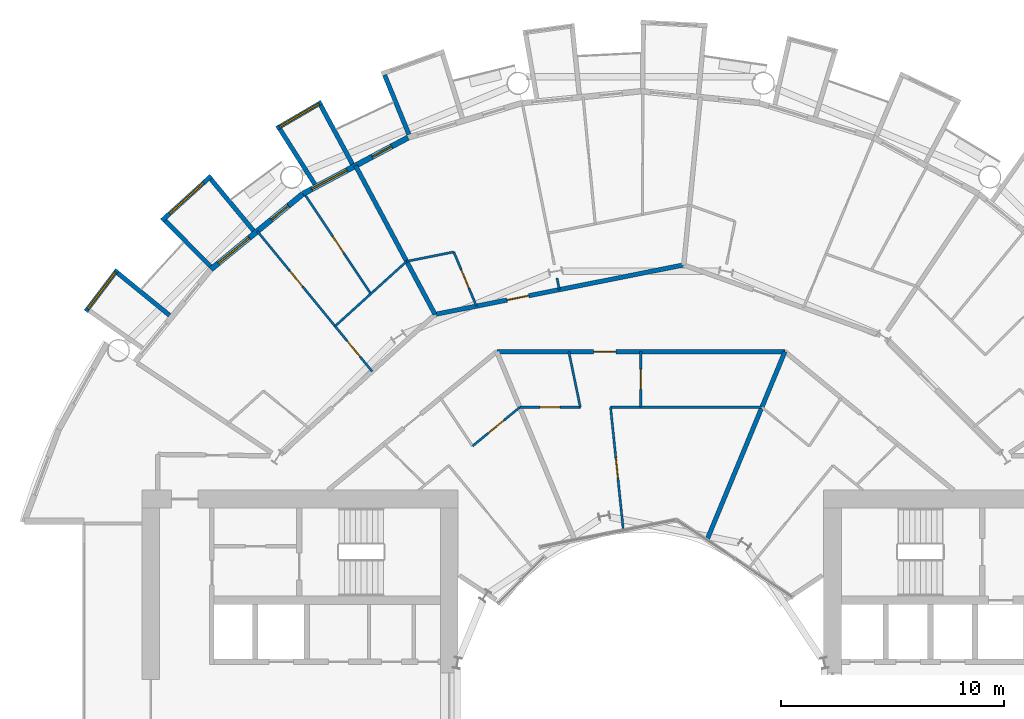
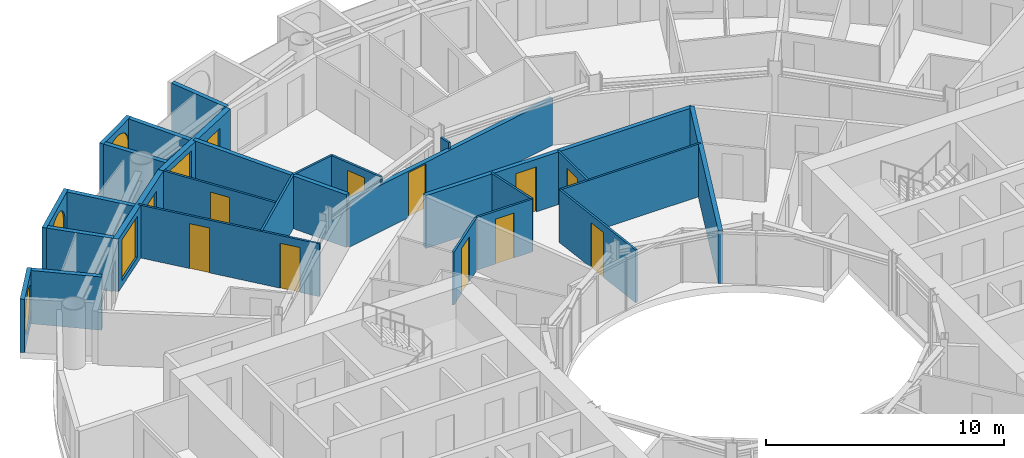
# One storey, part 19 of 26: 27 walls, 12 doors, 5 windows, 17 openings.
"""IFC4 building model written with IfcOpenShell, lengths in metres."""

from ifc_helpers import new_model, si_unit, direction, frame, frame_2d, origin, place, context, subcontext, project, spatial, rectangle, circle, extrude, material, layer, layer_set, type_object, element, fill, save


model = new_model("IFC4")

# Units and contexts
model_context = context("Model", 3, precision=1e-05, world=origin(), true_north=direction((0.0, 1.0)))
body_context = subcontext(model_context, "Body", "Model", "MODEL_VIEW")
ifc_project = project(units=[si_unit("LENGTHUNIT", "METRE"), si_unit("AREAUNIT", "SQUARE_METRE"), si_unit("VOLUMEUNIT", "CUBIC_METRE"), si_unit("PLANEANGLEUNIT", "RADIAN"), si_unit("MASSUNIT", "GRAM", prefix="KILO")], contexts=[model_context])

# Site, building, storey
site_placement = place(None, origin())
site = spatial("IfcSite", under=ifc_project, at=site_placement, CompositionType="ELEMENT")
building_placement = place(site_placement, origin())
building = spatial("IfcBuilding", under=site, at=building_placement, Name="Maasbend Ring Residences", CompositionType="ELEMENT")
storey_placement = place(building_placement, frame((0.0, 0.0, 38.050048828125)))
storey = spatial("IfcBuildingStorey", under=building, at=storey_placement, Name="L10", CompositionType="ELEMENT", Elevation=38.050048828125)

# Wall, opening, door
ifc_material_1 = material(Name="Concrete C30/37", Category="concrete")
ifc_layer_1 = layer(ifc_material_1, 0.199951171875)
ifc_layer_set_1 = layer_set([ifc_layer_1], Name="Concrete C30/37")
wall_type_1 = type_object("IfcWallType", Name="CORRIDOR WALL 200 CONCRETE", PredefinedType="PARTITIONING", material=ifc_layer_set_1)
wall_1_placement = place(storey_placement, frame((-6.467041015625, 15.614013671875, 0.0), z_axis=(0.0, 0.0, 1.0), x_axis=(1.0, 0.0, 0.0)))
wall_1 = element("IfcWall", 1, at=wall_1_placement, inside=storey, type_object=wall_type_1, Name="U-L10-w102", PredefinedType="PARTITIONING", context=body_context, shape_type="SweptSolid", body=[
    extrude(rectangle(XDim=12.93408203125, YDim=0.199951171875, at=frame_2d((6.467041015625, 0.0))), origin(), (0.0, 0.0, 1.0), 2.699951171875),
])
opening_1_placement = place(wall_1_placement, frame((4.35009765625, 0.0, 0.0)))
opening_1 = element("IfcOpeningElement", 2, at=opening_1_placement, cuts=wall_1, Name="Opening D-1025", PredefinedType="OPENING", context=body_context, shape_type="SweptSolid", body=[
    extrude(rectangle(XDim=1.0, YDim=2.300048828125, at=frame_2d((0.5, 1.14990234375))), frame((0.0, 0.10986328125, 0.0), z_axis=(0.0, -1.0, 0.0), x_axis=(1.0, 0.0, 0.0)), (0.0, 0.0, 1.0), 0.219970703125),
])
ifc_material_2 = material(Name="Timber, fire-rated, painted", Category="wood")
door_type_1 = type_object("IfcDoorType", Name="FLAT ENTRANCE DOOR 1000 X 2300 FIRE-RATED", OperationType="NOTDEFINED", PredefinedType="DOOR", material=ifc_material_2)
door_1_placement = place(opening_1_placement, origin())
door_1 = element("IfcDoor", 3, at=door_1_placement, inside=storey, type_object=door_type_1, Name="D-1025", OperationType="SINGLE_SWING_LEFT", OverallHeight=2.300048828125, OverallWidth=1.0, PredefinedType="DOOR", context=body_context, shape_type="SweptSolid", body=[
    extrude(rectangle(XDim=1.0, YDim=2.300048828125, at=frame_2d((0.5, 1.14990234375))), frame((0.0, 0.02490234375, 0.0), z_axis=(0.0, -1.0, 0.0), x_axis=(1.0, 0.0, 0.0)), (0.0, 0.0, 1.0), 0.050048828125),
])
fill(opening_1, door_1)

wall_2_placement = place(storey_placement, frame((-9.239013671875, 17.285888671875, 0.0), z_axis=(0.0, 0.0, 1.0), x_axis=(0.98077905287, 0.195121627328, 0.0)))
wall_2 = element("IfcWall", 4, at=wall_2_placement, inside=storey, type_object=wall_type_1, Name="U-L10-w105", PredefinedType="PARTITIONING", context=body_context, shape_type="SweptSolid", body=[
    extrude(rectangle(XDim=11.378662109375, YDim=0.199951171875, at=frame_2d((5.689453125, 0.0))), origin(), (0.0, 0.0, 1.0), 2.3798828125),
])
opening_2_placement = place(wall_2_placement, frame((3.29296875, 0.0, 0.0)))
opening_2 = element("IfcOpeningElement", 5, at=opening_2_placement, cuts=wall_2, Name="Opening D-1010", PredefinedType="OPENING", context=body_context, shape_type="SweptSolid", body=[
    extrude(rectangle(XDim=1.0, YDim=2.300048828125, at=frame_2d((0.5, 1.14990234375))), frame((0.0, 0.10986328125, 0.0), z_axis=(0.0, -1.0, 0.0), x_axis=(1.0, 0.0, 0.0)), (0.0, 0.0, 1.0), 0.219970703125),
])
door_2_placement = place(opening_2_placement, origin())
door_2 = element("IfcDoor", 6, at=door_2_placement, inside=storey, type_object=door_type_1, Name="D-1010", OperationType="SINGLE_SWING_LEFT", OverallHeight=2.300048828125, OverallWidth=1.0, PredefinedType="DOOR", context=body_context, shape_type="SweptSolid", body=[
    extrude(rectangle(XDim=1.0, YDim=2.300048828125, at=frame_2d((0.5, 1.14990234375))), frame((0.0, 0.02490234375, 0.0), z_axis=(0.0, -1.0, 0.0), x_axis=(1.0, 0.0, 0.0)), (0.0, 0.0, 1.0), 0.050048828125),
])
fill(opening_2, door_2)

# Wall
ifc_material_3 = material(Name="Pale anodised aluminium panel", Category="aluminium")
ifc_layer_2 = layer(ifc_material_3, 0.199951171875)
ifc_layer_set_2 = layer_set([ifc_layer_2], Name="EW-BOX")
wall_type_2 = type_object("IfcWallType", Name="EW-BOX", PredefinedType="SOLIDWALL", material=ifc_layer_set_2)
wall_3_placement = place(storey_placement, frame((-10.408935546875, 25.364013671875, -0.030029296875), z_axis=(0.0, 0.0, 1.0), x_axis=(-0.379509886562, 0.925187681501, 0.0)))
element("IfcWall", 7, at=wall_3_placement, inside=storey, type_object=wall_type_2, Name="Box side wall N14 right", PredefinedType="SOLIDWALL", context=body_context, shape_type="SweptSolid", body=[
    extrude(rectangle(XDim=2.882568359375, YDim=0.199951171875, at=frame_2d((1.44140625, 0.0))), origin(), (0.0, 0.0, 1.0), 2.72998046875),
])

# Wall, opening, window
wall_4_placement = place(storey_placement, frame((-14.326904296875, 26.81201171875, -0.030029296875), z_axis=(0.0, 0.0, 1.0), x_axis=(-0.863346521872, -0.504611517081, 0.0)))
wall_4 = element("IfcWall", 8, at=wall_4_placement, inside=storey, type_object=wall_type_2, Name="Box front N16", PredefinedType="SOLIDWALL", context=body_context, shape_type="SweptSolid", body=[
    extrude(rectangle(XDim=2.33642578125, YDim=0.199951171875, at=frame_2d((1.168212890625, 0.0))), origin(), (0.0, 0.0, 1.0), 2.72998046875),
])
opening_3_placement = place(wall_4_placement, frame((0.128173828125, 0.0, 0.330078125)))
opening_3 = element("IfcOpeningElement", 9, at=opening_3_placement, cuts=wall_4, Name="Opening W-RD", PredefinedType="OPENING", context=body_context, shape_type="SweptSolid", body=[
    extrude(circle(Radius=1.0400390625, at=frame_2d((1.0400390625, 1.0400390625))), frame((0.0, 0.10986328125, 0.0), z_axis=(0.0, -1.0, 0.0), x_axis=(1.0, 0.0, 0.0)), (0.0, 0.0, 1.0), 0.219970703125),
])
ifc_material_4 = material(Name="Aluminium and clear glass", Category="aluminium")
window_type_1 = type_object("IfcWindowType", Name="W-RD", PartitioningType="SINGLE_PANEL", PredefinedType="WINDOW", material=ifc_material_4)
window_1_placement = place(opening_3_placement, origin())
window_1 = element("IfcWindow", 10, at=window_1_placement, inside=storey, type_object=window_type_1, Name="Round window N16", OverallHeight=2.080078125, OverallWidth=2.080078125, PartitioningType="SINGLE_PANEL", PredefinedType="WINDOW", context=body_context, shape_type="SweptSolid", body=[
    extrude(circle(Radius=1.0400390625, at=frame_2d((1.0400390625, 1.0400390625))), frame((0.0, 0.030029296875, 0.0), z_axis=(0.0, -1.0, 0.0), x_axis=(1.0, 0.0, 0.0)), (0.0, 0.0, 1.0), 0.06005859375),
])
fill(opening_3, window_1)

# Walls
wall_5_placement = place(storey_placement, frame((-12.945068359375, 24.029052734375, -0.030029296875), z_axis=(0.0, 0.0, 1.0), x_axis=(-0.474424310775, 0.88029629861, 0.0)))
element("IfcWall", 11, at=wall_5_placement, inside=storey, type_object=wall_type_2, Name="Box side wall N16 left", PredefinedType="SOLIDWALL", context=body_context, shape_type="SweptSolid", body=[
    extrude(rectangle(XDim=3.005859375, YDim=0.199951171875, at=frame_2d((1.5029296875, 0.0))), origin(), (0.0, 0.0, 1.0), 2.72998046875),
])
wall_6_placement = place(storey_placement, frame((-14.635009765625, 23.1259765625, -0.030029296875), z_axis=(0.0, 0.0, 1.0), x_axis=(-0.534437802731, 0.845207805816, 0.0)))
element("IfcWall", 12, at=wall_6_placement, inside=storey, type_object=wall_type_2, Name="Box side wall N16 right", PredefinedType="SOLIDWALL", context=body_context, shape_type="SweptSolid", body=[
    extrude(rectangle(XDim=2.931884765625, YDim=0.199951171875, at=frame_2d((1.4658203125, 0.0))), origin(), (0.0, 0.0, 1.0), 2.72998046875),
])

# Wall, opening, window
wall_7_placement = place(storey_placement, frame((-19.281982421875, 23.5029296875, -0.030029296875), z_axis=(0.0, 0.0, 1.0), x_axis=(-0.740998365753, -0.671506829416, 0.0)))
wall_7 = element("IfcWall", 13, at=wall_7_placement, inside=storey, type_object=wall_type_2, Name="Box front N18", PredefinedType="SOLIDWALL", context=body_context, shape_type="SweptSolid", body=[
    extrude(rectangle(XDim=2.9931640625, YDim=0.199951171875, at=frame_2d((1.49658203125, 0.0))), origin(), (0.0, 0.0, 1.0), 2.72998046875),
])
opening_4_placement = place(wall_7_placement, frame((0.45654296875, 0.0, 0.330078125)))
opening_4 = element("IfcOpeningElement", 14, at=opening_4_placement, cuts=wall_7, Name="Opening W-RD", PredefinedType="OPENING", context=body_context, shape_type="SweptSolid", body=[
    extrude(circle(Radius=1.0400390625, at=frame_2d((1.0400390625, 1.0400390625))), frame((0.0, 0.10986328125, 0.0), z_axis=(0.0, -1.0, 0.0), x_axis=(1.0, 0.0, 0.0)), (0.0, 0.0, 1.0), 0.219970703125),
])
window_2_placement = place(opening_4_placement, origin())
window_2 = element("IfcWindow", 15, at=window_2_placement, inside=storey, type_object=window_type_1, Name="Round window N18", OverallHeight=2.080078125, OverallWidth=2.080078125, PartitioningType="SINGLE_PANEL", PredefinedType="WINDOW", context=body_context, shape_type="SweptSolid", body=[
    extrude(circle(Radius=1.0400390625, at=frame_2d((1.0400390625, 1.0400390625))), frame((0.0, 0.030029296875, 0.0), z_axis=(0.0, -1.0, 0.0), x_axis=(1.0, 0.0, 0.0)), (0.0, 0.0, 1.0), 0.06005859375),
])
fill(opening_4, window_2)

# Walls
wall_8_placement = place(storey_placement, frame((-17.384033203125, 21.041015625, -0.030029296875), z_axis=(0.0, 0.0, 1.0), x_axis=(-0.63709551667, 0.770784861449, 0.0)))
element("IfcWall", 16, at=wall_8_placement, inside=storey, type_object=wall_type_2, Name="Box side wall N18 left", PredefinedType="SOLIDWALL", context=body_context, shape_type="SweptSolid", body=[
    extrude(rectangle(XDim=3.005859375, YDim=0.199951171875, at=frame_2d((1.5029296875, 0.0))), origin(), (0.0, 0.0, 1.0), 2.72998046875),
])
wall_9_placement = place(storey_placement, frame((-19.322998046875, 19.449951171875, -0.030029296875), z_axis=(0.0, 0.0, 1.0), x_axis=(-0.704476739375, 0.709727076896, 0.0)))
element("IfcWall", 17, at=wall_9_placement, inside=storey, type_object=wall_type_2, Name="Box side wall N18 right", PredefinedType="SOLIDWALL", context=body_context, shape_type="SweptSolid", body=[
    extrude(rectangle(XDim=2.883056640625, YDim=0.199951171875, at=frame_2d((1.44140625, 0.0))), origin(), (0.0, 0.0, 1.0), 2.72998046875),
])

# Wall, opening, window
wall_10_placement = place(storey_placement, frame((-23.4970703125, 19.2890625, -0.030029296875), z_axis=(0.0, 0.0, 1.0), x_axis=(-0.60418752353, -0.796842165306, 0.0)))
wall_10 = element("IfcWall", 18, at=wall_10_placement, inside=storey, type_object=wall_type_2, Name="Box front N20", PredefinedType="SOLIDWALL", context=body_context, shape_type="SweptSolid", body=[
    extrude(rectangle(XDim=2.3369140625, YDim=0.199951171875, at=frame_2d((1.16845703125, 0.0))), origin(), (0.0, 0.0, 1.0), 2.72998046875),
])
opening_5_placement = place(wall_10_placement, frame((0.128173828125, 0.0, 0.330078125)))
opening_5 = element("IfcOpeningElement", 19, at=opening_5_placement, cuts=wall_10, Name="Opening W-RD", PredefinedType="OPENING", context=body_context, shape_type="SweptSolid", body=[
    extrude(circle(Radius=1.0400390625, at=frame_2d((1.0400390625, 1.0400390625))), frame((0.0, 0.10986328125, 0.0), z_axis=(0.0, -1.0, 0.0), x_axis=(1.0, 0.0, 0.0)), (0.0, 0.0, 1.0), 0.219970703125),
])
window_3_placement = place(opening_5_placement, origin())
window_3 = element("IfcWindow", 20, at=window_3_placement, inside=storey, type_object=window_type_1, Name="Round window N20", OverallHeight=2.080078125, OverallWidth=2.080078125, PartitioningType="SINGLE_PANEL", PredefinedType="WINDOW", context=body_context, shape_type="SweptSolid", body=[
    extrude(circle(Radius=1.0400390625, at=frame_2d((1.0400390625, 1.0400390625))), frame((0.0, 0.030029296875, 0.0), z_axis=(0.0, -1.0, 0.0), x_axis=(1.0, 0.0, 0.0)), (0.0, 0.0, 1.0), 0.06005859375),
])
fill(opening_5, window_3)

# Wall
wall_11_placement = place(storey_placement, frame((-21.155029296875, 17.24609375, -0.030029296875), z_axis=(0.0, 0.0, 1.0), x_axis=(-0.775179004516, 0.631741648902, 0.0)))
element("IfcWall", 21, at=wall_11_placement, inside=storey, type_object=wall_type_2, Name="Box side wall N20 left", PredefinedType="SOLIDWALL", context=body_context, shape_type="SweptSolid", body=[
    extrude(rectangle(XDim=3.005859375, YDim=0.199951171875, at=frame_2d((1.5029296875, 0.0))), origin(), (0.0, 0.0, 1.0), 2.72998046875),
])

# Wall, openings, door, window
ifc_material_5 = material(Name="Aluminium clad insulated panel", Category="aluminium")
ifc_layer_3 = layer(ifc_material_5, 0.25)
ifc_layer_set_3 = layer_set([ifc_layer_3], Name="EW-GL")
wall_type_3 = type_object("IfcWallType", Name="EW-GL", PredefinedType="SOLIDWALL", material=ifc_layer_set_3)
wall_12_placement = place(storey_placement, frame((-10.447021484375, 25.221923828125, 0.0), z_axis=(0.0, 0.0, 1.0), x_axis=(-0.881915646801, -0.471407246368, 0.0)))
wall_12 = element("IfcWall", 22, at=wall_12_placement, inside=storey, type_object=wall_type_3, Name="External wall N08", PredefinedType="SOLIDWALL", context=body_context, shape_type="SweptSolid", body=[
    extrude(rectangle(XDim=5.35205078125, YDim=0.25, at=frame_2d((2.676025390625, 0.0))), origin(), (0.0, 0.0, 1.0), 2.699951171875),
])
opening_6_placement = place(wall_12_placement, frame((0.841064453125, 0.0, 0.0)))
opening_6 = element("IfcOpeningElement", 23, at=opening_6_placement, cuts=wall_12, Name="Opening D-LG", PredefinedType="OPENING", context=body_context, shape_type="SweptSolid", body=[
    extrude(rectangle(XDim=1.0, YDim=2.199951171875, at=frame_2d((0.5, 1.10009765625))), frame((0.0, 0.135009765625, 0.0), z_axis=(0.0, -1.0, 0.0), x_axis=(1.0, 0.0, 0.0)), (0.0, 0.0, 1.0), 0.27001953125),
])
opening_7_placement = place(wall_12_placement, frame((3.110595703125, 0.0, 0.300048828125)))
opening_7 = element("IfcOpeningElement", 24, at=opening_7_placement, cuts=wall_12, Name="Opening W-BX", PredefinedType="OPENING", context=body_context, shape_type="SweptSolid", body=[
    extrude(rectangle(XDim=1.800048828125, YDim=2.10009765625, at=frame_2d((0.89990234375, 1.050048828125))), frame((0.0, 0.135009765625, 0.0), z_axis=(0.0, -1.0, 0.0), x_axis=(1.0, 0.0, 0.0)), (0.0, 0.0, 1.0), 0.27001953125),
])
ifc_material_6 = material(Name="Aluminium and clear glass", Category="aluminium")
door_type_2 = type_object("IfcDoorType", Name="D-LG", OperationType="SINGLE_SWING_LEFT", PredefinedType="DOOR", material=ifc_material_6)
door_3_placement = place(opening_6_placement, origin())
door_3 = element("IfcDoor", 25, at=door_3_placement, inside=storey, type_object=door_type_2, Name="Loggia door N15", OperationType="SINGLE_SWING_LEFT", OverallHeight=2.199951171875, OverallWidth=1.0, PredefinedType="DOOR", context=body_context, shape_type="SweptSolid", body=[
    extrude(rectangle(XDim=1.0, YDim=2.199951171875, at=frame_2d((0.5, 1.10009765625))), frame((0.0, 0.02490234375, 0.0), z_axis=(0.0, -1.0, 0.0), x_axis=(1.0, 0.0, 0.0)), (0.0, 0.0, 1.0), 0.050048828125),
])
fill(opening_6, door_3)
ifc_material_7 = material(Name="Aluminium and clear glass", Category="aluminium")
window_type_2 = type_object("IfcWindowType", Name="W-BX", PartitioningType="DOUBLE_PANEL_VERTICAL", PredefinedType="WINDOW", material=ifc_material_7)
window_4_placement = place(opening_7_placement, origin())
window_4 = element("IfcWindow", 26, at=window_4_placement, inside=storey, type_object=window_type_2, Name="Window N16 room to box", OverallHeight=2.10009765625, OverallWidth=1.800048828125, PartitioningType="SINGLE_PANEL", PredefinedType="WINDOW", context=body_context, shape_type="SweptSolid", body=[
    extrude(rectangle(XDim=1.800048828125, YDim=2.10009765625, at=frame_2d((0.89990234375, 1.050048828125))), frame((0.0, 0.030029296875, 0.0), z_axis=(0.0, -1.0, 0.0), x_axis=(1.0, 0.0, 0.0)), (0.0, 0.0, 1.0), 0.06005859375),
])
fill(opening_7, window_4)

wall_13_placement = place(storey_placement, frame((-15.1669921875, 22.698974609375, 0.0), z_axis=(0.0, 0.0, 1.0), x_axis=(-0.773019449054, -0.634382322723, 0.0)))
wall_13 = element("IfcWall", 27, at=wall_13_placement, inside=storey, type_object=wall_type_3, Name="External wall N09", PredefinedType="SOLIDWALL", context=body_context, shape_type="SweptSolid", body=[
    extrude(rectangle(XDim=5.351806640625, YDim=0.25, at=frame_2d((2.67578125, 0.0))), origin(), (0.0, 0.0, 1.0), 2.699951171875),
])
opening_8_placement = place(wall_13_placement, frame((0.841064453125, 0.0, 0.0)))
opening_8 = element("IfcOpeningElement", 28, at=opening_8_placement, cuts=wall_13, Name="Opening D-LG", PredefinedType="OPENING", context=body_context, shape_type="SweptSolid", body=[
    extrude(rectangle(XDim=1.0, YDim=2.199951171875, at=frame_2d((0.5, 1.10009765625))), frame((0.0, 0.135009765625, 0.0), z_axis=(0.0, -1.0, 0.0), x_axis=(1.0, 0.0, 0.0)), (0.0, 0.0, 1.0), 0.27001953125),
])
opening_9_placement = place(wall_13_placement, frame((3.110595703125, 0.0, 0.300048828125)))
opening_9 = element("IfcOpeningElement", 29, at=opening_9_placement, cuts=wall_13, Name="Opening W-BX", PredefinedType="OPENING", context=body_context, shape_type="SweptSolid", body=[
    extrude(rectangle(XDim=1.800048828125, YDim=2.10009765625, at=frame_2d((0.89990234375, 1.050048828125))), frame((0.0, 0.135009765625, 0.0), z_axis=(0.0, -1.0, 0.0), x_axis=(1.0, 0.0, 0.0)), (0.0, 0.0, 1.0), 0.27001953125),
])
door_4_placement = place(opening_8_placement, origin())
door_4 = element("IfcDoor", 30, at=door_4_placement, inside=storey, type_object=door_type_2, Name="Loggia door N17", OperationType="SINGLE_SWING_LEFT", OverallHeight=2.199951171875, OverallWidth=1.0, PredefinedType="DOOR", context=body_context, shape_type="SweptSolid", body=[
    extrude(rectangle(XDim=1.0, YDim=2.199951171875, at=frame_2d((0.5, 1.10009765625))), frame((0.0, 0.02490234375, 0.0), z_axis=(0.0, -1.0, 0.0), x_axis=(1.0, 0.0, 0.0)), (0.0, 0.0, 1.0), 0.050048828125),
])
fill(opening_8, door_4)
window_5_placement = place(opening_9_placement, origin())
window_5 = element("IfcWindow", 31, at=window_5_placement, inside=storey, type_object=window_type_2, Name="Window N18 room to box", OverallHeight=2.10009765625, OverallWidth=1.800048828125, PartitioningType="SINGLE_PANEL", PredefinedType="WINDOW", context=body_context, shape_type="SweptSolid", body=[
    extrude(rectangle(XDim=1.800048828125, YDim=2.10009765625, at=frame_2d((0.89990234375, 1.050048828125))), frame((0.0, 0.030029296875, 0.0), z_axis=(0.0, -1.0, 0.0), x_axis=(1.0, 0.0, 0.0)), (0.0, 0.0, 1.0), 0.06005859375),
])
fill(opening_9, window_5)

# Wall, openings, doors
ifc_material_8 = material(Name="Gypsum board on steel studs", Category="steel")
ifc_layer_4 = layer(ifc_material_8, 0.10009765625)
ifc_layer_set_4 = layer_set([ifc_layer_4], Name="PARTITION 100 GYPSUM")
wall_type_4 = type_object("IfcWallType", Name="PARTITION 100 GYPSUM", PredefinedType="PARTITIONING", material=ifc_layer_set_4)
wall_14_placement = place(storey_placement, frame((-17.218994140625, 21.02294921875, 0.0), z_axis=(0.0, 0.0, 1.0), x_axis=(0.633664062855, -0.773608334654, 0.0)))
wall_14 = element("IfcWall", 32, at=wall_14_placement, inside=storey, type_object=wall_type_4, Name="U-L10-w032", PredefinedType="PARTITIONING", context=body_context, shape_type="SweptSolid", body=[
    extrude(rectangle(XDim=8.138427734375, YDim=0.10009765625, at=frame_2d((4.0693359375, 0.0))), origin(), (0.0, 0.0, 1.0), 2.699951171875),
])
opening_10_placement = place(wall_14_placement, frame((6.376953125, 0.0, 0.0)))
opening_10 = element("IfcOpeningElement", 33, at=opening_10_placement, cuts=wall_14, Name="Opening D-1018", PredefinedType="OPENING", context=body_context, shape_type="SweptSolid", body=[
    extrude(rectangle(XDim=0.89990234375, YDim=2.300048828125, at=frame_2d((0.449951171875, 1.14990234375))), frame((0.0, 0.06005859375, 0.0), z_axis=(0.0, -1.0, 0.0), x_axis=(1.0, 0.0, 0.0)), (0.0, 0.0, 1.0), 0.1201171875),
])
opening_11_placement = place(wall_14_placement, frame((2.30810546875, 0.0, 0.0)))
opening_11 = element("IfcOpeningElement", 34, at=opening_11_placement, cuts=wall_14, Name="Opening D-1019", PredefinedType="OPENING", context=body_context, shape_type="SweptSolid", body=[
    extrude(rectangle(XDim=0.89990234375, YDim=2.300048828125, at=frame_2d((0.449951171875, 1.14990234375))), frame((0.0, 0.06005859375, 0.0), z_axis=(0.0, -1.0, 0.0), x_axis=(1.0, 0.0, 0.0)), (0.0, 0.0, 1.0), 0.1201171875),
])
ifc_material_9 = material(Name="Timber, painted", Category="wood")
door_type_3 = type_object("IfcDoorType", Name="INTERNAL DOOR 900 X 2300", OperationType="NOTDEFINED", PredefinedType="DOOR", material=ifc_material_9)
door_5_placement = place(opening_10_placement, origin())
door_5 = element("IfcDoor", 35, at=door_5_placement, inside=storey, type_object=door_type_3, Name="D-1018", OperationType="SINGLE_SWING_RIGHT", OverallHeight=2.300048828125, OverallWidth=0.89990234375, PredefinedType="DOOR", context=body_context, shape_type="SweptSolid", body=[
    extrude(rectangle(XDim=0.89990234375, YDim=2.300048828125, at=frame_2d((0.449951171875, 1.14990234375))), frame((0.0, 0.02490234375, 0.0), z_axis=(0.0, -1.0, 0.0), x_axis=(1.0, 0.0, 0.0)), (0.0, 0.0, 1.0), 0.050048828125),
])
fill(opening_10, door_5)
door_6_placement = place(opening_11_placement, origin())
door_6 = element("IfcDoor", 36, at=door_6_placement, inside=storey, type_object=door_type_3, Name="D-1019", OperationType="SINGLE_SWING_LEFT", OverallHeight=2.300048828125, OverallWidth=0.89990234375, PredefinedType="DOOR", context=body_context, shape_type="SweptSolid", body=[
    extrude(rectangle(XDim=0.89990234375, YDim=2.300048828125, at=frame_2d((0.449951171875, 1.14990234375))), frame((0.0, 0.02490234375, 0.0), z_axis=(0.0, -1.0, 0.0), x_axis=(1.0, 0.0, 0.0)), (0.0, 0.0, 1.0), 0.050048828125),
])
fill(opening_11, door_6)

# Wall, opening, door
wall_15_placement = place(storey_placement, frame((-15.053955078125, 22.6240234375, 0.0), z_axis=(0.0, 0.0, 1.0), x_axis=(0.553913391217, -0.832574294, 0.0)))
wall_15 = element("IfcWall", 37, at=wall_15_placement, inside=storey, type_object=wall_type_4, Name="U-L10-w035", PredefinedType="PARTITIONING", context=body_context, shape_type="SweptSolid", body=[
    extrude(rectangle(XDim=5.300537109375, YDim=0.10009765625, at=frame_2d((2.650390625, 0.0))), origin(), (0.0, 0.0, 1.0), 2.699951171875),
])
opening_12_placement = place(wall_15_placement, frame((2.199951171875, 0.0, 0.0)))
opening_12 = element("IfcOpeningElement", 38, at=opening_12_placement, cuts=wall_15, Name="Opening D-1020", PredefinedType="OPENING", context=body_context, shape_type="SweptSolid", body=[
    extrude(rectangle(XDim=0.89990234375, YDim=2.300048828125, at=frame_2d((0.449951171875, 1.14990234375))), frame((0.0, 0.06005859375, 0.0), z_axis=(0.0, -1.0, 0.0), x_axis=(1.0, 0.0, 0.0)), (0.0, 0.0, 1.0), 0.1201171875),
])
door_7_placement = place(opening_12_placement, origin())
door_7 = element("IfcDoor", 39, at=door_7_placement, inside=storey, type_object=door_type_3, Name="D-1020", OperationType="SINGLE_SWING_LEFT", OverallHeight=2.300048828125, OverallWidth=0.89990234375, PredefinedType="DOOR", context=body_context, shape_type="SweptSolid", body=[
    extrude(rectangle(XDim=0.89990234375, YDim=2.300048828125, at=frame_2d((0.449951171875, 1.14990234375))), frame((0.0, 0.02490234375, 0.0), z_axis=(0.0, -1.0, 0.0), x_axis=(1.0, 0.0, 0.0)), (0.0, 0.0, 1.0), 0.050048828125),
])
fill(opening_12, door_7)

wall_16_placement = place(storey_placement, frame((-8.39599609375, 20.087890625, 0.0), z_axis=(0.0, 0.0, 1.0), x_axis=(0.385844829344, -0.922563693014, 0.0)))
wall_16 = element("IfcWall", 40, at=wall_16_placement, inside=storey, type_object=wall_type_4, Name="U-L10-w045", PredefinedType="PARTITIONING", context=body_context, shape_type="SweptSolid", body=[
    extrude(rectangle(XDim=2.635986328125, YDim=0.10009765625, at=frame_2d((1.31787109375, 0.0))), origin(), (0.0, 0.0, 1.0), 2.699951171875),
])
opening_13_placement = place(wall_16_placement, frame((0.867919921875, 0.0, 0.0)))
opening_13 = element("IfcOpeningElement", 41, at=opening_13_placement, cuts=wall_16, Name="Opening D-1011", PredefinedType="OPENING", context=body_context, shape_type="SweptSolid", body=[
    extrude(rectangle(XDim=0.89990234375, YDim=2.300048828125, at=frame_2d((0.449951171875, 1.14990234375))), frame((0.0, 0.06005859375, 0.0), z_axis=(0.0, -1.0, 0.0), x_axis=(1.0, 0.0, 0.0)), (0.0, 0.0, 1.0), 0.1201171875),
])
door_8_placement = place(opening_13_placement, origin())
door_8 = element("IfcDoor", 42, at=door_8_placement, inside=storey, type_object=door_type_3, Name="D-1011", OperationType="SINGLE_SWING_LEFT", OverallHeight=2.300048828125, OverallWidth=0.89990234375, PredefinedType="DOOR", context=body_context, shape_type="SweptSolid", body=[
    extrude(rectangle(XDim=0.89990234375, YDim=2.300048828125, at=frame_2d((0.449951171875, 1.14990234375))), frame((0.0, 0.02490234375, 0.0), z_axis=(0.0, -1.0, 0.0), x_axis=(1.0, 0.0, 0.0)), (0.0, 0.0, 1.0), 0.050048828125),
])
fill(opening_13, door_8)

# Walls
wall_17_placement = place(storey_placement, frame((-3.762939453125, 18.9189453125, 0.0), z_axis=(0.0, 0.0, 1.0), x_axis=(0.195059361677, -0.98079143829, 0.0)))
element("IfcWall", 43, at=wall_17_placement, inside=storey, type_object=wall_type_4, Name="U-L10-w052", PredefinedType="PARTITIONING", context=body_context, shape_type="SweptSolid", body=[
    extrude(rectangle(XDim=0.533203125, YDim=0.10009765625, at=frame_2d((0.2666015625, 0.0))), origin(), (0.0, 0.0, 1.0), 2.699951171875),
])
wall_18_placement = place(storey_placement, frame((-3.23388671875, 15.614013671875, 0.0), z_axis=(0.0, 0.0, 1.0), x_axis=(0.202836883315, -0.97921254014, 0.0)))
element("IfcWall", 44, at=wall_18_placement, inside=storey, type_object=wall_type_4, Name="U-L10-w054", PredefinedType="PARTITIONING", context=body_context, shape_type="SweptSolid", body=[
    extrude(rectangle(XDim=2.548095703125, YDim=0.10009765625, at=frame_2d((1.27392578125, 0.0))), origin(), (0.0, 0.0, 1.0), 2.699951171875),
])

# Wall, opening, door
wall_19_placement = place(storey_placement, frame((-1.35888671875, 13.118896484375, 0.0), z_axis=(0.0, 0.0, 1.0), x_axis=(0.103118462411, -0.994669082012, 0.0)))
wall_19 = element("IfcWall", 45, at=wall_19_placement, inside=storey, type_object=wall_type_4, Name="U-L10-w057", PredefinedType="PARTITIONING", context=body_context, shape_type="SweptSolid", body=[
    extrude(rectangle(XDim=5.468994140625, YDim=0.10009765625, at=frame_2d((2.734375, 0.0))), origin(), (0.0, 0.0, 1.0), 2.699951171875),
])
opening_14_placement = place(wall_19_placement, frame((2.284912109375, 0.0, 0.0)))
opening_14 = element("IfcOpeningElement", 46, at=opening_14_placement, cuts=wall_19, Name="Opening D-1028", PredefinedType="OPENING", context=body_context, shape_type="SweptSolid", body=[
    extrude(rectangle(XDim=0.89990234375, YDim=2.300048828125, at=frame_2d((0.449951171875, 1.14990234375))), frame((0.0, 0.06005859375, 0.0), z_axis=(0.0, -1.0, 0.0), x_axis=(1.0, 0.0, 0.0)), (0.0, 0.0, 1.0), 0.1201171875),
])
door_9_placement = place(opening_14_placement, origin())
door_9 = element("IfcDoor", 47, at=door_9_placement, inside=storey, type_object=door_type_3, Name="D-1028", OperationType="SINGLE_SWING_RIGHT", OverallHeight=2.300048828125, OverallWidth=0.89990234375, PredefinedType="DOOR", context=body_context, shape_type="SweptSolid", body=[
    extrude(rectangle(XDim=0.89990234375, YDim=2.300048828125, at=frame_2d((0.449951171875, 1.14990234375))), frame((0.0, 0.02490234375, 0.0), z_axis=(0.0, -1.0, 0.0), x_axis=(1.0, 0.0, 0.0)), (0.0, 0.0, 1.0), 0.050048828125),
])
fill(opening_14, door_9)

wall_20_placement = place(storey_placement, frame((0.0, 13.118896484375, 0.0), z_axis=(0.0, 0.0, 1.0), x_axis=(0.0, 1.0, 0.0)))
wall_20 = element("IfcWall", 48, at=wall_20_placement, inside=storey, type_object=wall_type_4, Name="U-L10-w060", PredefinedType="PARTITIONING", context=body_context, shape_type="SweptSolid", body=[
    extrude(rectangle(XDim=2.4951171875, YDim=0.10009765625, at=frame_2d((1.24755859375, 0.0))), origin(), (0.0, 0.0, 1.0), 2.699951171875),
])
opening_15_placement = place(wall_20_placement, frame((0.798095703125, 0.0, 0.0)))
opening_15 = element("IfcOpeningElement", 49, at=opening_15_placement, cuts=wall_20, Name="Opening D-1027", PredefinedType="OPENING", context=body_context, shape_type="SweptSolid", body=[
    extrude(rectangle(XDim=0.89990234375, YDim=2.300048828125, at=frame_2d((0.449951171875, 1.14990234375))), frame((0.0, 0.06005859375, 0.0), z_axis=(0.0, -1.0, 0.0), x_axis=(1.0, 0.0, 0.0)), (0.0, 0.0, 1.0), 0.1201171875),
])
door_10_placement = place(opening_15_placement, origin())
door_10 = element("IfcDoor", 50, at=door_10_placement, inside=storey, type_object=door_type_3, Name="D-1027", OperationType="SINGLE_SWING_RIGHT", OverallHeight=2.300048828125, OverallWidth=0.89990234375, PredefinedType="DOOR", context=body_context, shape_type="SweptSolid", body=[
    extrude(rectangle(XDim=0.89990234375, YDim=2.300048828125, at=frame_2d((0.449951171875, 1.14990234375))), frame((0.0, 0.02490234375, 0.0), z_axis=(0.0, -1.0, 0.0), x_axis=(1.0, 0.0, 0.0)), (0.0, 0.0, 1.0), 0.050048828125),
])
fill(opening_15, door_10)

wall_21_placement = place(storey_placement, frame((-5.43408203125, 13.118896484375, 0.0), z_axis=(0.0, 0.0, 1.0), x_axis=(1.0, 0.0, 0.0)))
wall_21 = element("IfcWall", 51, at=wall_21_placement, inside=storey, type_object=wall_type_4, Name="U-L10-w096", PredefinedType="PARTITIONING", context=body_context, shape_type="SweptSolid", body=[
    extrude(rectangle(XDim=2.717041015625, YDim=0.10009765625, at=frame_2d((1.3583984375, 0.0))), origin(), (0.0, 0.0, 1.0), 2.699951171875),
])
opening_16_placement = place(wall_21_placement, frame((0.908935546875, 0.0, 0.0)))
opening_16 = element("IfcOpeningElement", 52, at=opening_16_placement, cuts=wall_21, Name="Opening D-1026", PredefinedType="OPENING", context=body_context, shape_type="SweptSolid", body=[
    extrude(rectangle(XDim=0.89990234375, YDim=2.300048828125, at=frame_2d((0.449951171875, 1.14990234375))), frame((0.0, 0.06005859375, 0.0), z_axis=(0.0, -1.0, 0.0), x_axis=(1.0, 0.0, 0.0)), (0.0, 0.0, 1.0), 0.1201171875),
])
door_11_placement = place(opening_16_placement, origin())
door_11 = element("IfcDoor", 53, at=door_11_placement, inside=storey, type_object=door_type_3, Name="D-1026", OperationType="SINGLE_SWING_RIGHT", OverallHeight=2.300048828125, OverallWidth=0.89990234375, PredefinedType="DOOR", context=body_context, shape_type="SweptSolid", body=[
    extrude(rectangle(XDim=0.89990234375, YDim=2.300048828125, at=frame_2d((0.449951171875, 1.14990234375))), frame((0.0, 0.02490234375, 0.0), z_axis=(0.0, -1.0, 0.0), x_axis=(1.0, 0.0, 0.0)), (0.0, 0.0, 1.0), 0.050048828125),
])
fill(opening_16, door_11)

# Wall
wall_22_placement = place(storey_placement, frame((-1.35888671875, 13.118896484375, 0.0), z_axis=(0.0, 0.0, 1.0), x_axis=(1.0, 0.0, 0.0)))
element("IfcWall", 54, at=wall_22_placement, inside=storey, type_object=wall_type_4, Name="U-L10-w097", PredefinedType="PARTITIONING", context=body_context, shape_type="SweptSolid", body=[
    extrude(rectangle(XDim=6.79296875, YDim=0.10009765625, at=frame_2d((3.396484375, 0.0))), origin(), (0.0, 0.0, 1.0), 2.699951171875),
])

# Wall, opening, door
wall_23_placement = place(storey_placement, frame((-7.552001953125, 11.37890625, 0.0), z_axis=(0.0, 0.0, 1.0), x_axis=(0.773323547924, 0.634011585246, 0.0)))
wall_23 = element("IfcWall", 55, at=wall_23_placement, inside=storey, type_object=wall_type_4, Name="U-L10-w099", PredefinedType="PARTITIONING", context=body_context, shape_type="SweptSolid", body=[
    extrude(rectangle(XDim=2.747802734375, YDim=0.10009765625, at=frame_2d((1.3740234375, 0.0))), origin(), (0.0, 0.0, 1.0), 2.699951171875),
])
opening_17_placement = place(wall_23_placement, frame((0.9169921875, 0.0, 0.0)))
opening_17 = element("IfcOpeningElement", 56, at=opening_17_placement, cuts=wall_23, Name="Opening D-1030", PredefinedType="OPENING", context=body_context, shape_type="SweptSolid", body=[
    extrude(rectangle(XDim=0.89990234375, YDim=2.300048828125, at=frame_2d((0.449951171875, 1.14990234375))), frame((0.0, 0.06005859375, 0.0), z_axis=(0.0, -1.0, 0.0), x_axis=(1.0, 0.0, 0.0)), (0.0, 0.0, 1.0), 0.1201171875),
])
door_12_placement = place(opening_17_placement, origin())
door_12 = element("IfcDoor", 57, at=door_12_placement, inside=storey, type_object=door_type_3, Name="D-1030", OperationType="SINGLE_SWING_LEFT", OverallHeight=2.300048828125, OverallWidth=0.89990234375, PredefinedType="DOOR", context=body_context, shape_type="SweptSolid", body=[
    extrude(rectangle(XDim=0.89990234375, YDim=2.300048828125, at=frame_2d((0.449951171875, 1.14990234375))), frame((0.0, 0.02490234375, 0.0), z_axis=(0.0, -1.0, 0.0), x_axis=(1.0, 0.0, 0.0)), (0.0, 0.0, 1.0), 0.050048828125),
])
fill(opening_17, door_12)

# Walls
wall_24_placement = place(storey_placement, frame((-10.510986328125, 19.6669921875, 0.0), z_axis=(0.0, 0.0, 1.0), x_axis=(0.980784706341, 0.195093208, 0.0)))
element("IfcWall", 58, at=wall_24_placement, inside=storey, type_object=wall_type_4, Name="U-L10-w109", PredefinedType="PARTITIONING", context=body_context, shape_type="SweptSolid", body=[
    extrude(rectangle(XDim=2.157470703125, YDim=0.10009765625, at=frame_2d((1.07861328125, 0.0))), origin(), (0.0, 0.0, 1.0), 2.699951171875),
])
wall_25_placement = place(storey_placement, frame((-13.72705078125, 16.75390625, 0.0), z_axis=(0.0, 0.0, 1.0), x_axis=(0.741134692738, 0.671356363804, 0.0)))
element("IfcWall", 59, at=wall_25_placement, inside=storey, type_object=wall_type_4, Name="U-L10-w112", PredefinedType="PARTITIONING", context=body_context, shape_type="SweptSolid", body=[
    extrude(rectangle(XDim=4.342041015625, YDim=0.10009765625, at=frame_2d((2.1708984375, 0.0))), origin(), (0.0, 0.0, 1.0), 2.699951171875),
])
ifc_material_10 = material(Name="Concrete C30/37", Category="concrete")
ifc_layer_5 = layer(ifc_material_10, 0.199951171875)
ifc_layer_set_5 = layer_set([ifc_layer_5], Name="Concrete C30/37")
wall_type_5 = type_object("IfcWallType", Name="PARTY WALL 200 CONCRETE", PredefinedType="PARTITIONING", material=ifc_layer_set_5)
wall_26_placement = place(storey_placement, frame((-12.81005859375, 23.966064453125, 0.0), z_axis=(0.0, 0.0, 1.0), x_axis=(0.471439510802, -0.881898399848, 0.0)))
element("IfcWall", 60, at=wall_26_placement, inside=storey, type_object=wall_type_5, Name="U-L10-w037", PredefinedType="PARTITIONING", context=body_context, shape_type="SweptSolid", body=[
    extrude(rectangle(XDim=7.57470703125, YDim=0.199951171875, at=frame_2d((3.787353515625, 0.0))), origin(), (0.0, 0.0, 1.0), 2.699951171875),
])
wall_27_placement = place(storey_placement, frame((2.955078125, 7.132080078125, 0.0), z_axis=(0.0, 0.0, 1.0), x_axis=(0.382556139466, 0.923932248683, 0.0)))
element("IfcWall", 61, at=wall_27_placement, inside=storey, type_object=wall_type_5, Name="U-L10-w066", PredefinedType="PARTITIONING", context=body_context, shape_type="SweptSolid", body=[
    extrude(rectangle(XDim=9.18017578125, YDim=0.199951171875, at=frame_2d((4.590087890625, 0.0))), origin(), (0.0, 0.0, 1.0), 2.699951171875),
])

save(model, "model.ifc")
